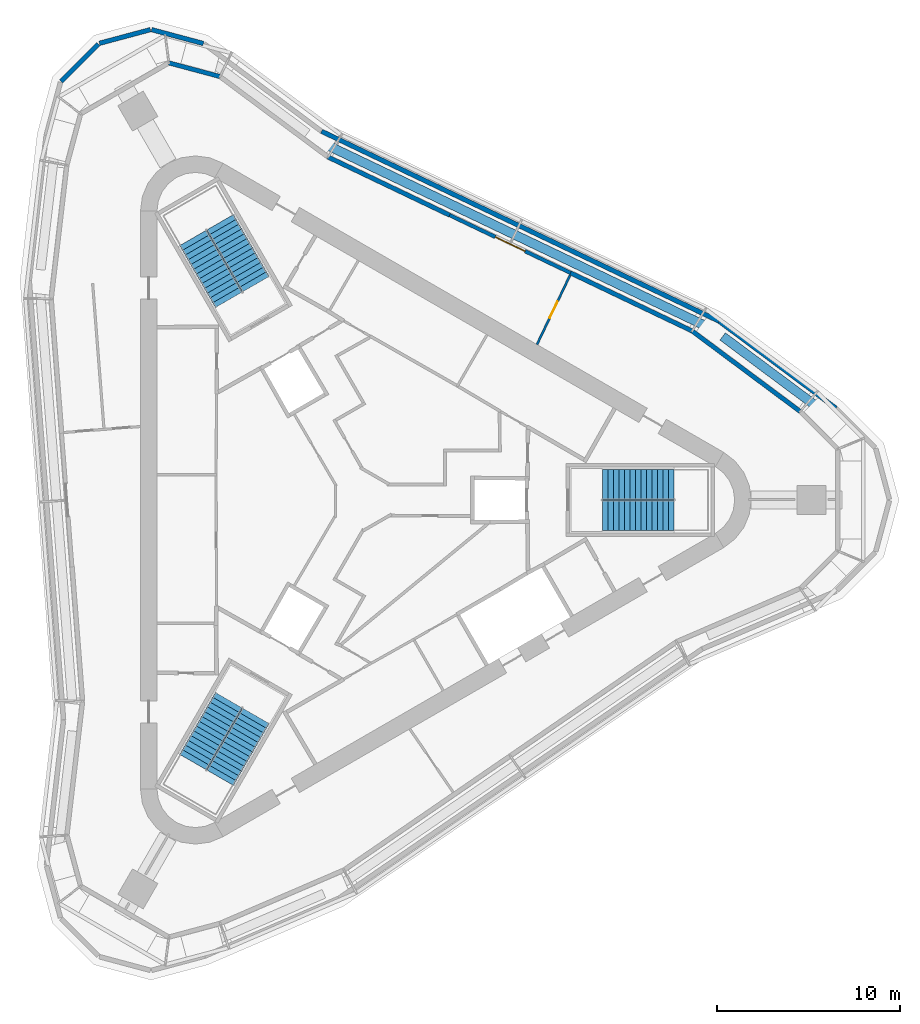
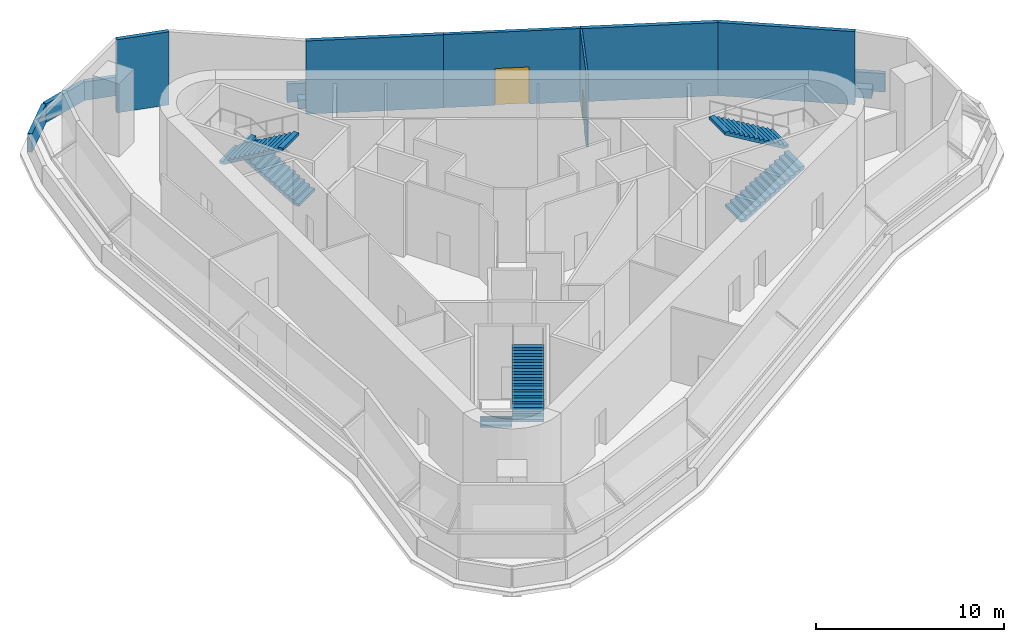
# One storey, part 6 of 7: 13 walls, 6 stair flights, 2 doors, 2 openings, 3 elements without a shape of their own.
"""IFC4 building model written with IfcOpenShell, lengths in metres."""

from ifc_helpers import new_model, si_unit, direction, frame, frame_2d, origin, place, context, subcontext, project, spatial, polyline, rectangle, outline, extrude, material, layer, layer_set, type_object, element, fill, aggregate, save


model = new_model("IFC4")

# Units and contexts
model_context = context("Model", 3, precision=1e-05, world=origin(), true_north=direction((0.0, 1.0)))
body_context = subcontext(model_context, "Body", "Model", "MODEL_VIEW")
ifc_project = project(units=[si_unit("LENGTHUNIT", "METRE"), si_unit("AREAUNIT", "SQUARE_METRE"), si_unit("VOLUMEUNIT", "CUBIC_METRE"), si_unit("PLANEANGLEUNIT", "RADIAN"), si_unit("MASSUNIT", "GRAM", prefix="KILO")], contexts=[model_context])

# Site, building, storey
site_placement = place(None, origin())
site = spatial("IfcSite", under=ifc_project, at=site_placement, CompositionType="ELEMENT")
building_placement = place(site_placement, origin())
building = spatial("IfcBuilding", under=site, at=building_placement, Name="Tanit Gate Tower", CompositionType="ELEMENT")
storey_placement = place(building_placement, frame((0.0, 0.0, 420.300048828125)))
storey = spatial("IfcBuildingStorey", under=building, at=storey_placement, Name="L95", CompositionType="ELEMENT", Elevation=420.300048828125)

# Wall, opening, door
ifc_material_1 = material(Name="Concrete C30/37 rendered", Category="concrete")
ifc_layer_1 = layer(ifc_material_1, 0.199951171875)
ifc_layer_set_1 = layer_set([ifc_layer_1], Name="Facade wall 200 rendered")
wall_type_1 = type_object("IfcWallType", Name="Facade wall 200 rendered", PredefinedType="SOLIDWALL", material=ifc_layer_set_1)
wall_1_placement = place(storey_placement, frame((11.35107421875, 12.381103515625, 0.0), z_axis=(0.0, 0.0, 1.0), x_axis=(-0.902328654497, 0.431048720301, 0.0)))
wall_1 = element("IfcWall", 1, at=wall_1_placement, inside=storey, type_object=wall_type_1, Name="Facade wall L95 NE2.2", PredefinedType="SOLIDWALL", context=body_context, shape_type="SweptSolid", body=[
    extrude(rectangle(XDim=7.306396484375, YDim=0.199951171875, at=frame_2d((3.6533203125, 0.0))), origin(), (0.0, 0.0, 1.0), 4.75),
])
opening_1_placement = place(wall_1_placement, frame((2.753173828125, 0.0, 0.0)))
opening_1 = element("IfcOpeningElement", 2, at=opening_1_placement, cuts=wall_1, Name="Opening D2", PredefinedType="OPENING", context=body_context, shape_type="SweptSolid", body=[
    extrude(rectangle(XDim=1.800048828125, YDim=2.39990234375, at=frame_2d((0.89990234375, 1.199951171875))), frame((0.0, 0.10986328125, 0.0), z_axis=(0.0, -1.0, 0.0), x_axis=(1.0, 0.0, 0.0)), (0.0, 0.0, 1.0), 0.219970703125),
])
ifc_material_2 = material(Name="Aluminium bronze anodised and glass", Category="aluminium")
door_type_1 = type_object("IfcDoorType", Name="Terrace door double 1800x2400", OperationType="DOUBLE_DOOR_SINGLE_SWING", PredefinedType="DOOR", material=ifc_material_2)
door_1_placement = place(opening_1_placement, frame((1.800048828125, 0.0, 0.0), z_axis=(0.0, 0.0, 1.0), x_axis=(-1.0, 0.0, 0.0)))
door_1 = element("IfcDoor", 3, at=door_1_placement, inside=storey, type_object=door_type_1, Name="Terrace door", OperationType="SINGLE_SWING_RIGHT", OverallHeight=2.39990234375, OverallWidth=1.800048828125, PredefinedType="DOOR", context=body_context, shape_type="SweptSolid", body=[
    extrude(rectangle(XDim=1.800048828125, YDim=2.39990234375, at=frame_2d((0.89990234375, 1.199951171875))), frame((0.0, 0.02490234375, 0.0), z_axis=(0.0, -1.0, 0.0), x_axis=(1.0, 0.0, 0.0)), (0.0, 0.0, 1.0), 0.050048828125),
])
fill(opening_1, door_1)

# Walls
ifc_material_3 = material(Name="Concrete C30/37 with bronze anodised aluminium cladding", Category="concrete")
ifc_layer_2 = layer(ifc_material_3, 0.239990234375)
ifc_layer_set_2 = layer_set([ifc_layer_2], Name="Facade wall bronze clad 240")
wall_type_2 = type_object("IfcWallType", Name="Facade wall bronze clad 240", PredefinedType="SOLIDWALL", material=ifc_layer_set_2)
wall_2_placement = place(storey_placement, frame((23.866455078125, 4.82958984375, 0.0), z_axis=(0.0, 0.0, 1.0), x_axis=(-0.801975305826, 0.597357186987, 0.0)))
element("IfcWall", 4, at=wall_2_placement, inside=storey, type_object=wall_type_2, Name="Bronze-clad facade wall L95 NE1", PredefinedType="SOLIDWALL", context=body_context, shape_type="SweptSolid", body=[
    extrude(rectangle(XDim=7.34033203125, YDim=0.239990234375, at=frame_2d((3.670166015625, 0.0))), origin(), (0.0, 0.0, 1.0), 4.75),
])
wall_3_placement = place(storey_placement, frame((17.979736328125, 9.21435546875, 0.0), z_axis=(0.0, 0.0, 1.0), x_axis=(-0.90231860982, 0.431069746528, 0.0)))
element("IfcWall", 5, at=wall_3_placement, inside=storey, type_object=wall_type_2, Name="Bronze-clad facade wall L95 NE2a", PredefinedType="SOLIDWALL", context=body_context, shape_type="SweptSolid", body=[
    extrude(rectangle(XDim=7.34619140625, YDim=0.239990234375, at=frame_2d((3.673095703125, 0.0))), origin(), (0.0, 0.0, 1.0), 4.75),
])
wall_4_placement = place(storey_placement, frame((4.75830078125, 15.530517578125, 0.0), z_axis=(0.0, 0.0, 1.0), x_axis=(-0.902312434085, 0.431082673389, 0.0)))
element("IfcWall", 6, at=wall_4_placement, inside=storey, type_object=wall_type_2, Name="Bronze-clad facade wall L95 NE2b", PredefinedType="SOLIDWALL", context=body_context, shape_type="SweptSolid", body=[
    extrude(rectangle(XDim=7.345947265625, YDim=0.239990234375, at=frame_2d((3.6728515625, 0.0))), origin(), (0.0, 0.0, 1.0), 4.75),
])
wall_5_placement = place(storey_placement, frame((-7.764404296875, 23.08740234375, 0.0), z_axis=(0.0, 0.0, 1.0), x_axis=(-0.96591406393, 0.258862938836, 0.0)))
element("IfcWall", 7, at=wall_5_placement, inside=storey, type_object=wall_type_2, Name="Bronze-clad facade wall L95 NW.arc1", PredefinedType="SOLIDWALL", context=body_context, shape_type="SweptSolid", body=[
    extrude(rectangle(XDim=2.885986328125, YDim=0.239990234375, at=frame_2d((1.44287109375, 0.0))), origin(), (0.0, 0.0, 1.0), 4.75),
])

# Wall, opening, door
ifc_material_4 = material(Name="Gypsum board partition")
ifc_layer_3 = layer(ifc_material_4, 0.1201171875)
ifc_layer_set_3 = layer_set([ifc_layer_3], Name="INT-WALL-PARTITION")
wall_type_3 = type_object("IfcWallType", Name="INT-WALL-PARTITION", PredefinedType="PARTITIONING", material=ifc_layer_set_3)
wall_6_placement = place(storey_placement, frame((9.5185546875, 8.476318359375, 0.0), z_axis=(0.0, 0.0, 1.0), x_axis=(0.431123386303, 0.902292982231, 0.0)))
wall_6 = element("IfcWall", 8, at=wall_6_placement, inside=storey, type_object=wall_type_3, Name="Wall Partition W093", PredefinedType="PARTITIONING", context=body_context, shape_type="SweptSolid", body=[
    extrude(rectangle(XDim=4.188232421875, YDim=0.1201171875, at=frame_2d((2.09423828125, 0.0))), origin(), (0.0, 0.0, 1.0), 4.75),
])
opening_2_placement = place(wall_6_placement, frame((1.60009765625, 0.0, 0.0)))
opening_2 = element("IfcOpeningElement", 9, at=opening_2_placement, cuts=wall_6, Name="Opening D10-95-23", PredefinedType="OPENING", context=body_context, shape_type="SweptSolid", body=[
    extrude(rectangle(XDim=1.0, YDim=2.10009765625, at=frame_2d((0.5, 1.050048828125))), frame((0.0, 0.070068359375, 0.0), z_axis=(0.0, -1.0, 0.0), x_axis=(1.0, 0.0, 0.0)), (0.0, 0.0, 1.0), 0.14013671875),
])
ifc_material_5 = material(Name="Timber door leaf", Category="wood")
door_type_2 = type_object("IfcDoorType", Name="INT-DOOR-SINGLE-1000", OperationType="NOTDEFINED", PredefinedType="NOTDEFINED", material=ifc_material_5)
door_2_placement = place(opening_2_placement, origin())
door_2 = element("IfcDoor", 10, at=door_2_placement, inside=storey, type_object=door_type_2, Name="Door D10-95-23", OperationType="SINGLE_SWING_LEFT", OverallHeight=2.10009765625, OverallWidth=1.0, PredefinedType="NOTDEFINED", context=body_context, shape_type="SweptSolid", body=[
    extrude(rectangle(XDim=1.0, YDim=2.10009765625, at=frame_2d((0.5, 1.050048828125))), frame((0.0, 0.02490234375, 0.0), z_axis=(0.0, -1.0, 0.0), x_axis=(1.0, 0.0, 0.0)), (0.0, 0.0, 1.0), 0.050048828125),
])
fill(opening_2, door_2)

# Walls
ifc_material_6 = material(Name="Concrete C30/37", Category="concrete")
ifc_layer_4 = layer(ifc_material_6, 0.25)
ifc_layer_set_4 = layer_set([ifc_layer_4], Name="Parapet wall 250")
wall_type_4 = type_object("IfcWallType", Name="Parapet wall 250", PredefinedType="PARAPET", material=ifc_layer_set_4)
wall_7_placement = place(storey_placement, frame((-16.430419921875, 22.833740234375, 0.0400390625), z_axis=(0.0, 0.0, 1.0), x_axis=(0.707064364536, 0.707149195293, 0.0)))
element("IfcWall", 11, at=wall_7_placement, inside=storey, type_object=wall_type_4, Name="Terrace parapet L95 16", PredefinedType="PARAPET", context=body_context, shape_type="SweptSolid", body=[
    extrude(rectangle(XDim=2.8779296875, YDim=0.25, at=frame_2d((1.43896484375, 0.0))), origin(), (0.0, 0.0, 1.0), 1.199951171875),
])
wall_8_placement = place(storey_placement, frame((-14.33935546875, 24.901123046875, 0.0400390625), z_axis=(0.0, 0.0, 1.0), x_axis=(0.965928741196, 0.258808166276, 0.0)))
element("IfcWall", 12, at=wall_8_placement, inside=storey, type_object=wall_type_4, Name="Terrace parapet L95 17", PredefinedType="PARAPET", context=body_context, shape_type="SweptSolid", body=[
    extrude(rectangle(XDim=2.878173828125, YDim=0.25, at=frame_2d((1.43896484375, 0.0))), origin(), (0.0, 0.0, 1.0), 1.199951171875),
])
wall_9_placement = place(storey_placement, frame((-11.49462890625, 25.64599609375, 0.0400390625), z_axis=(0.0, 0.0, 1.0), x_axis=(0.965936505061, -0.258779188094, 0.0)))
element("IfcWall", 13, at=wall_9_placement, inside=storey, type_object=wall_type_4, Name="Terrace parapet L95 18", PredefinedType="PARAPET", context=body_context, shape_type="SweptSolid", body=[
    extrude(rectangle(XDim=2.925537109375, YDim=0.25, at=frame_2d((1.462890625, 0.0))), origin(), (0.0, 0.0, 1.0), 1.199951171875),
])
wall_10_placement = place(storey_placement, frame((-2.2236328125, 20.102294921875, 0.0400390625), z_axis=(0.0, 0.0, 1.0), x_axis=(0.902316737592, -0.43107366547, 0.0)))
element("IfcWall", 14, at=wall_10_placement, inside=storey, type_object=wall_type_4, Name="Terrace parapet L95 20", PredefinedType="PARAPET", context=body_context, shape_type="SweptSolid", body=[
    extrude(rectangle(XDim=24.00732421875, YDim=0.25, at=frame_2d((12.003662109375, 0.0))), origin(), (0.0, 0.0, 1.0), 1.199951171875),
])
wall_11_placement = place(storey_placement, frame((19.459228515625, 9.740966796875, 0.0400390625), z_axis=(0.0, 0.0, 1.0), x_axis=(0.801989479124, -0.597338158311, 0.0)))
element("IfcWall", 15, at=wall_11_placement, inside=storey, type_object=wall_type_4, Name="Terrace parapet L95 21", PredefinedType="PARAPET", context=body_context, shape_type="SweptSolid", body=[
    extrude(rectangle(XDim=7.934326171875, YDim=0.25, at=frame_2d((3.96728515625, 0.0))), origin(), (0.0, 0.0, 1.0), 1.199951171875),
])
ifc_material_7 = material(Name="Concrete C30/37", Category="concrete")
ifc_layer_5 = layer(ifc_material_7, 0.5)
ifc_layer_set_5 = layer_set([ifc_layer_5], Name="Planter box 600")
wall_type_5 = type_object("IfcWallType", Name="Planter box 600", PredefinedType="PARAPET", material=ifc_layer_set_5)
wall_12_placement = place(storey_placement, frame((-1.978759765625, 19.375732421875, 0.0400390625), z_axis=(0.0, 0.0, 1.0), x_axis=(0.902317634008, -0.431071789101, 0.0)))
element("IfcWall", 16, at=wall_12_placement, inside=storey, type_object=wall_type_5, Name="PLANTER", PredefinedType="PARAPET", context=body_context, shape_type="SweptSolid", body=[
    extrude(rectangle(XDim=22.83154296875, YDim=0.5, at=frame_2d((11.415771484375, 0.0))), origin(), (0.0, 0.0, 1.0), 0.599853515625),
])
wall_13_placement = place(storey_placement, frame((19.645263671875, 8.916748046875, 0.0400390625), z_axis=(0.0, 0.0, 1.0), x_axis=(0.801983344153, -0.597346395069, 0.0)))
element("IfcWall", 17, at=wall_13_placement, inside=storey, type_object=wall_type_5, Name="PLANTER", PredefinedType="PARAPET", context=body_context, shape_type="SweptSolid", body=[
    extrude(rectangle(XDim=6.661865234375, YDim=0.5, at=frame_2d((3.3310546875, 0.0))), origin(), (0.0, 0.0, 1.0), 0.599853515625),
])

# Stair, stair flights
ifc_material_8 = material(Name="Concrete C40/50", Category="concrete")
stair_type = type_object("IfcStairType", Name="INT-STAIR-EXIT", PredefinedType="HALF_TURN_STAIR", material=ifc_material_8)
stair_1_placement = place(storey_placement, origin())
stair_1 = element("IfcStair", 18, at=stair_1_placement, inside=storey, type_object=stair_type, Name="L95 STAIR S1", PredefinedType="HALF_TURN_STAIR")
ifc_material_9 = material(Name="Concrete C40/50", Category="concrete")
stair_flight_type = type_object("IfcStairFlightType", Name="INT-STAIR-FLIGHT", PredefinedType="STRAIGHT", material=ifc_material_9)
stair_flight_1_placement = place(storey_placement, frame((13.094970703125, -0.8525390625, 0.0), z_axis=(0.0, 0.0, 1.0), x_axis=(1.0, 0.0, 0.0)))
stair_flight_1 = element("IfcStairFlight", 19, at=stair_flight_1_placement, type_object=stair_flight_type, Name="S1 flight 1", NumberOfRisers=14, NumberOfTreads=13, PredefinedType="STRAIGHT", RiserHeight=0.178571429, TreadLength=0.3, context=body_context, shape_type="SweptSolid", body=[
    extrude(outline(polyline([(0.0, 0.0), (0.0, 0.178466796875), (0.300048828125, 0.178466796875), (0.300048828125, 0.357177734375), (0.60009765625, 0.357177734375), (0.60009765625, 0.53564453125), (0.89990234375, 0.53564453125), (0.89990234375, 0.71435546875), (1.199951171875, 0.71435546875), (1.199951171875, 0.892822265625), (1.5, 0.892822265625), (1.5, 1.071533203125), (1.800048828125, 1.071533203125), (1.800048828125, 1.25), (2.10009765625, 1.25), (2.10009765625, 1.428466796875), (2.39990234375, 1.428466796875), (2.39990234375, 1.607177734375), (2.699951171875, 1.607177734375), (2.699951171875, 1.78564453125), (3.0, 1.78564453125), (3.0, 1.96435546875), (3.300048828125, 1.96435546875), (3.300048828125, 2.142822265625), (3.60009765625, 2.142822265625), (3.60009765625, 2.321533203125), (3.89990234375, 2.321533203125), (3.89990234375, 2.5), (3.89990234375, 2.14697265625), (0.29296875, 0.0), (0.0, 0.0)])), frame((0.0, 0.84765625, 0.0), z_axis=(0.0, -1.0, 0.0), x_axis=(1.0, 0.0, 0.0)), (0.0, 0.0, 1.0), 1.695068359375),
])
stair_flight_2_placement = place(storey_placement, frame((16.9951171875, 0.8525390625, 2.5), z_axis=(0.0, 0.0, 1.0), x_axis=(-1.0, 0.0, 0.0)))
stair_flight_2 = element("IfcStairFlight", 20, at=stair_flight_2_placement, type_object=stair_flight_type, Name="S1 flight 2", NumberOfRisers=14, NumberOfTreads=13, PredefinedType="STRAIGHT", RiserHeight=0.178571429, TreadLength=0.3, context=body_context, shape_type="SweptSolid", body=[
    extrude(outline(polyline([(0.0, 0.0), (0.0, 0.178466796875), (0.300048828125, 0.178466796875), (0.300048828125, 0.357177734375), (0.60009765625, 0.357177734375), (0.60009765625, 0.53564453125), (0.89990234375, 0.53564453125), (0.89990234375, 0.71435546875), (1.199951171875, 0.71435546875), (1.199951171875, 0.892822265625), (1.5, 0.892822265625), (1.5, 1.071533203125), (1.800048828125, 1.071533203125), (1.800048828125, 1.25), (2.10009765625, 1.25), (2.10009765625, 1.428466796875), (2.39990234375, 1.428466796875), (2.39990234375, 1.607177734375), (2.699951171875, 1.607177734375), (2.699951171875, 1.78564453125), (3.0, 1.78564453125), (3.0, 1.96435546875), (3.300048828125, 1.96435546875), (3.300048828125, 2.142822265625), (3.60009765625, 2.142822265625), (3.60009765625, 2.321533203125), (3.89990234375, 2.321533203125), (3.89990234375, 2.5), (3.89990234375, 2.14697265625), (0.29296875, 0.0), (0.0, 0.0)])), frame((0.0, 0.84765625, 0.0), z_axis=(0.0, -1.0, 0.0), x_axis=(1.0, 0.0, 0.0)), (0.0, 0.0, 1.0), 1.695068359375),
])
aggregate(stair_1, [stair_flight_1, stair_flight_2])

stair_2_placement = place(storey_placement, origin())
stair_2 = element("IfcStair", 21, at=stair_2_placement, inside=storey, type_object=stair_type, Name="L95 STAIR S2", PredefinedType="HALF_TURN_STAIR")
stair_flight_3_placement = place(storey_placement, frame((-5.808349609375, 11.766357421875, 0.0), z_axis=(0.0, 0.0, 1.0), x_axis=(-0.5, 0.866025403784, 0.0)))
stair_flight_3 = element("IfcStairFlight", 22, at=stair_flight_3_placement, type_object=stair_flight_type, Name="S2 flight 1", NumberOfRisers=14, NumberOfTreads=13, PredefinedType="STRAIGHT", RiserHeight=0.178571429, TreadLength=0.3, context=body_context, shape_type="SweptSolid", body=[
    extrude(outline(polyline([(0.0, 0.0), (0.0, 0.178466796875), (0.300048828125, 0.178466796875), (0.300048828125, 0.357177734375), (0.60009765625, 0.357177734375), (0.60009765625, 0.53564453125), (0.89990234375, 0.53564453125), (0.89990234375, 0.71435546875), (1.199951171875, 0.71435546875), (1.199951171875, 0.892822265625), (1.5, 0.892822265625), (1.5, 1.071533203125), (1.800048828125, 1.071533203125), (1.800048828125, 1.25), (2.10009765625, 1.25), (2.10009765625, 1.428466796875), (2.39990234375, 1.428466796875), (2.39990234375, 1.607177734375), (2.699951171875, 1.607177734375), (2.699951171875, 1.78564453125), (3.0, 1.78564453125), (3.0, 1.96435546875), (3.300048828125, 1.96435546875), (3.300048828125, 2.142822265625), (3.60009765625, 2.142822265625), (3.60009765625, 2.321533203125), (3.89990234375, 2.321533203125), (3.89990234375, 2.5), (3.89990234375, 2.14697265625), (0.29296875, 0.0), (0.0, 0.0)])), frame((0.0, 0.84716796875, 0.0), z_axis=(0.0, -1.0, 0.0), x_axis=(1.0, 0.0, 0.0)), (0.0, 0.0, 1.0), 1.694091796875),
])
stair_flight_4_placement = place(storey_placement, frame((-9.23583984375, 14.290771484375, 2.5), z_axis=(0.0, 0.0, 1.0), x_axis=(0.5, -0.866025403784, 0.0)))
stair_flight_4 = element("IfcStairFlight", 23, at=stair_flight_4_placement, type_object=stair_flight_type, Name="S2 flight 2", NumberOfRisers=14, NumberOfTreads=13, PredefinedType="STRAIGHT", RiserHeight=0.178571429, TreadLength=0.3, context=body_context, shape_type="SweptSolid", body=[
    extrude(outline(polyline([(0.0, 0.0), (0.0, 0.178466796875), (0.300048828125, 0.178466796875), (0.300048828125, 0.357177734375), (0.60009765625, 0.357177734375), (0.60009765625, 0.53564453125), (0.89990234375, 0.53564453125), (0.89990234375, 0.71435546875), (1.199951171875, 0.71435546875), (1.199951171875, 0.892822265625), (1.5, 0.892822265625), (1.5, 1.071533203125), (1.800048828125, 1.071533203125), (1.800048828125, 1.25), (2.10009765625, 1.25), (2.10009765625, 1.428466796875), (2.39990234375, 1.428466796875), (2.39990234375, 1.607177734375), (2.699951171875, 1.607177734375), (2.699951171875, 1.78564453125), (3.0, 1.78564453125), (3.0, 1.96435546875), (3.300048828125, 1.96435546875), (3.300048828125, 2.142822265625), (3.60009765625, 2.142822265625), (3.60009765625, 2.321533203125), (3.89990234375, 2.321533203125), (3.89990234375, 2.5), (3.89990234375, 2.14697265625), (0.29296875, 0.0), (0.0, 0.0)])), frame((0.0, 0.84716796875, 0.0), z_axis=(0.0, -1.0, 0.0), x_axis=(1.0, 0.0, 0.0)), (0.0, 0.0, 1.0), 1.694091796875),
])
aggregate(stair_2, [stair_flight_3, stair_flight_4])

stair_3_placement = place(storey_placement, origin())
stair_3 = element("IfcStair", 24, at=stair_3_placement, inside=storey, type_object=stair_type, Name="L95 STAIR S3", PredefinedType="HALF_TURN_STAIR")
stair_flight_5_placement = place(storey_placement, frame((-7.285888671875, -10.914306640625, 0.0), z_axis=(0.0, 0.0, 1.0), x_axis=(-0.5, -0.866025403784, 0.0)))
stair_flight_5 = element("IfcStairFlight", 25, at=stair_flight_5_placement, type_object=stair_flight_type, Name="S3 flight 1", NumberOfRisers=14, NumberOfTreads=13, PredefinedType="STRAIGHT", RiserHeight=0.178571429, TreadLength=0.3, context=body_context, shape_type="SweptSolid", body=[
    extrude(outline(polyline([(0.0, 0.0), (0.0, 0.178466796875), (0.300048828125, 0.178466796875), (0.300048828125, 0.357177734375), (0.60009765625, 0.357177734375), (0.60009765625, 0.53564453125), (0.89990234375, 0.53564453125), (0.89990234375, 0.71435546875), (1.199951171875, 0.71435546875), (1.199951171875, 0.892822265625), (1.5, 0.892822265625), (1.5, 1.071533203125), (1.800048828125, 1.071533203125), (1.800048828125, 1.25), (2.10009765625, 1.25), (2.10009765625, 1.428466796875), (2.39990234375, 1.428466796875), (2.39990234375, 1.607177734375), (2.699951171875, 1.607177734375), (2.699951171875, 1.78564453125), (3.0, 1.78564453125), (3.0, 1.96435546875), (3.300048828125, 1.96435546875), (3.300048828125, 2.142822265625), (3.60009765625, 2.142822265625), (3.60009765625, 2.321533203125), (3.89990234375, 2.321533203125), (3.89990234375, 2.5), (3.89990234375, 2.14697265625), (0.29296875, 0.0), (0.0, 0.0)])), frame((0.0, 0.84765625, 0.0), z_axis=(0.0, -1.0, 0.0), x_axis=(1.0, 0.0, 0.0)), (0.0, 0.0, 1.0), 1.695068359375),
])
stair_flight_6_placement = place(storey_placement, frame((-7.75927734375, -15.144287109375, 2.5), z_axis=(0.0, 0.0, 1.0), x_axis=(0.5, 0.866025403784, 0.0)))
stair_flight_6 = element("IfcStairFlight", 26, at=stair_flight_6_placement, type_object=stair_flight_type, Name="S3 flight 2", NumberOfRisers=14, NumberOfTreads=13, PredefinedType="STRAIGHT", RiserHeight=0.178571429, TreadLength=0.3, context=body_context, shape_type="SweptSolid", body=[
    extrude(outline(polyline([(0.0, 0.0), (0.0, 0.178466796875), (0.300048828125, 0.178466796875), (0.300048828125, 0.357177734375), (0.60009765625, 0.357177734375), (0.60009765625, 0.53564453125), (0.89990234375, 0.53564453125), (0.89990234375, 0.71435546875), (1.199951171875, 0.71435546875), (1.199951171875, 0.892822265625), (1.5, 0.892822265625), (1.5, 1.071533203125), (1.800048828125, 1.071533203125), (1.800048828125, 1.25), (2.10009765625, 1.25), (2.10009765625, 1.428466796875), (2.39990234375, 1.428466796875), (2.39990234375, 1.607177734375), (2.699951171875, 1.607177734375), (2.699951171875, 1.78564453125), (3.0, 1.78564453125), (3.0, 1.96435546875), (3.300048828125, 1.96435546875), (3.300048828125, 2.142822265625), (3.60009765625, 2.142822265625), (3.60009765625, 2.321533203125), (3.89990234375, 2.321533203125), (3.89990234375, 2.5), (3.89990234375, 2.14697265625), (0.29296875, 0.0), (0.0, 0.0)])), frame((0.0, 0.84765625, 0.0), z_axis=(0.0, -1.0, 0.0), x_axis=(1.0, 0.0, 0.0)), (0.0, 0.0, 1.0), 1.695068359375),
])
aggregate(stair_3, [stair_flight_5, stair_flight_6])

save(model, "model.ifc")
